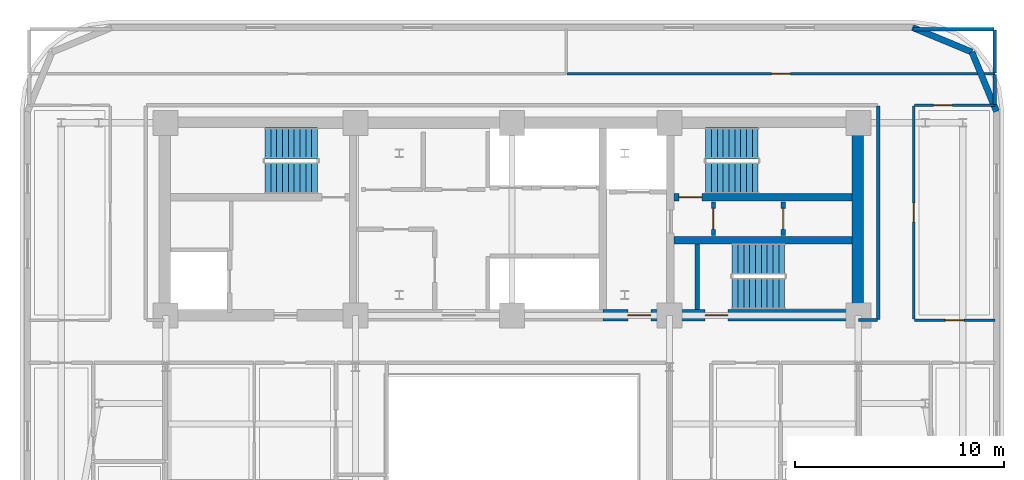
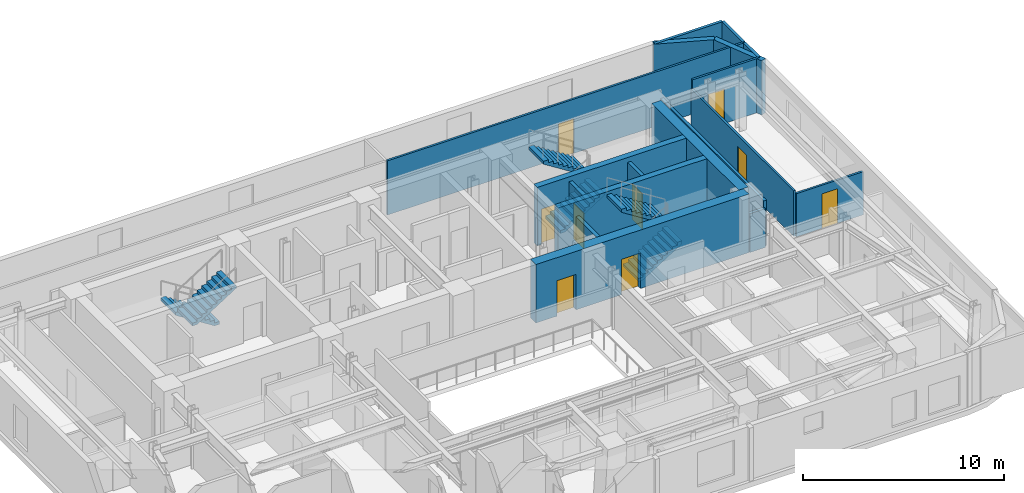
# One storey, part 10 of 13: 18 walls, 9 doors, 6 stair flights, 9 openings, 3 elements without a shape of their own.
"""IFC4 building model written with IfcOpenShell, lengths in metres."""

from ifc_helpers import new_model, si_unit, direction, frame, frame_2d, origin, place, context, subcontext, project, spatial, polyline, rectangle, outline, extrude, material, layer, layer_set, type_object, element, fill, aggregate, save


model = new_model("IFC4")

# Units and contexts
model_context = context("Model", 3, precision=1e-05, world=origin(), true_north=direction((0.0, 1.0)))
body_context = subcontext(model_context, "Body", "Model", "MODEL_VIEW")
ifc_project = project(units=[si_unit("LENGTHUNIT", "METRE"), si_unit("AREAUNIT", "SQUARE_METRE"), si_unit("VOLUMEUNIT", "CUBIC_METRE"), si_unit("PLANEANGLEUNIT", "RADIAN"), si_unit("MASSUNIT", "GRAM", prefix="KILO")], contexts=[model_context])

# Site, building, storey
site_placement = place(None, origin())
site = spatial("IfcSite", under=ifc_project, at=site_placement, CompositionType="ELEMENT")
building_placement = place(site_placement, origin())
building = spatial("IfcBuilding", under=site, at=building_placement, Name="Zarnavel Station Tower", CompositionType="ELEMENT")
storey_placement = place(building_placement, frame((0.0, 0.0, 148.35009765625)))
storey = spatial("IfcBuildingStorey", under=building, at=storey_placement, Name="L40", CompositionType="ELEMENT", Elevation=148.35009765625)

# Wall, opening, door
ifc_material_1 = material(Name="Concrete C50/60", Category="concrete")
ifc_layer_1 = layer(ifc_material_1, 0.35009765625)
ifc_layer_set_1 = layer_set([ifc_layer_1], Name="CW_350")
wall_type_1 = type_object("IfcWallType", Name="CW_350", PredefinedType="SHEAR", material=ifc_layer_set_1)
wall_1_placement = place(storey_placement, frame((45.10498046875, 33.47998046875, 0.0), z_axis=(0.0, 0.0, 1.0), x_axis=(-1.0, 0.0, 0.0)))
wall_1 = element("IfcWall", 1, at=wall_1_placement, inside=storey, type_object=wall_type_1, Name="L40 Rear Core Shear Wall DIV-H2", PredefinedType="SHEAR", context=body_context, shape_type="SweptSolid", body=[
    extrude(rectangle(XDim=8.550048828125, YDim=0.35009765625, at=frame_2d((4.27490234375, 0.0))), origin(), (0.0, 0.0, 1.0), 3.5498046875),
])
opening_1_placement = place(wall_1_placement, frame((7.205078125, 0.0, 0.0)))
opening_1 = element("IfcOpeningElement", 2, at=opening_1_placement, cuts=wall_1, Name="Opening FD01", PredefinedType="OPENING", context=body_context, shape_type="SweptSolid", body=[
    extrude(rectangle(XDim=1.10009765625, YDim=2.14990234375, at=frame_2d((0.550048828125, 1.074951171875))), frame((0.0, 0.18505859375, 0.0), z_axis=(0.0, -1.0, 0.0), x_axis=(1.0, 0.0, 0.0)), (0.0, 0.0, 1.0), 0.3701171875),
])
ifc_material_2 = material(Name="Painted Galvanised Steel and Hardwood Leaf", Category="steel")
door_type_1 = type_object("IfcDoorType", Name="ID_STAIR_1100", OperationType="NOTDEFINED", PredefinedType="DOOR", material=ifc_material_2)
door_1_placement = place(opening_1_placement, origin())
door_1 = element("IfcDoor", 3, at=door_1_placement, inside=storey, type_object=door_type_1, Name="L40 Stair ST2 Lobby Fire Door", OperationType="SINGLE_SWING_RIGHT", OverallHeight=2.14990234375, OverallWidth=1.10009765625, PredefinedType="DOOR", context=body_context, shape_type="SweptSolid", body=[
    extrude(rectangle(XDim=1.10009765625, YDim=2.14990234375, at=frame_2d((0.550048828125, 1.074951171875))), frame((0.0, 0.02490234375, 0.0), z_axis=(0.0, -1.0, 0.0), x_axis=(1.0, 0.0, 0.0)), (0.0, 0.0, 1.0), 0.050048828125),
])
fill(opening_1, door_1)

# Wall
wall_2_placement = place(storey_placement, frame((36.554931640625, 31.419921875, 0.0), z_axis=(0.0, 0.0, 1.0), x_axis=(1.0, 0.0, 0.0)))
element("IfcWall", 4, at=wall_2_placement, inside=storey, type_object=wall_type_1, Name="L40 Rear Core Shear Wall DIV-H3", PredefinedType="SHEAR", context=body_context, shape_type="SweptSolid", body=[
    extrude(rectangle(XDim=8.550048828125, YDim=0.35009765625, at=frame_2d((4.27490234375, 0.0))), origin(), (0.0, 0.0, 1.0), 3.5498046875),
])

# Wall, openings, doors
ifc_material_3 = material(Name="Concrete C50/60", Category="concrete")
ifc_layer_2 = layer(ifc_material_3, 0.550048828125)
ifc_layer_set_2 = layer_set([ifc_layer_2], Name="CW_550")
wall_type_2 = type_object("IfcWallType", Name="CW_550", PredefinedType="SHEAR", material=ifc_layer_set_2)
wall_3_placement = place(storey_placement, frame((45.3798828125, 27.820068359375, 0.0), z_axis=(0.0, 0.0, 1.0), x_axis=(-1.0, 0.0, 0.0)))
wall_3 = element("IfcWall", 5, at=wall_3_placement, inside=storey, type_object=wall_type_2, Name="L40 Rear Core Shear Wall S-E", PredefinedType="SHEAR", context=body_context, shape_type="SweptSolid", body=[
    extrude(rectangle(XDim=12.22998046875, YDim=0.550048828125, at=frame_2d((6.114990234375, 0.0))), origin(), (0.0, 0.0, 1.0), 3.5498046875),
])
opening_2_placement = place(wall_3_placement, frame((9.929931640625, 0.0, 0.0)))
opening_2 = element("IfcOpeningElement", 6, at=opening_2_placement, cuts=wall_3, Name="Opening FD01", PredefinedType="OPENING", context=body_context, shape_type="SweptSolid", body=[
    extrude(rectangle(XDim=1.10009765625, YDim=2.14990234375, at=frame_2d((0.550048828125, 1.074951171875))), frame((0.0, 0.284912109375, 0.0), z_axis=(0.0, -1.0, 0.0), x_axis=(1.0, 0.0, 0.0)), (0.0, 0.0, 1.0), 0.570068359375),
])
opening_3_placement = place(wall_3_placement, frame((6.22998046875, 0.0, 0.0)))
opening_3 = element("IfcOpeningElement", 7, at=opening_3_placement, cuts=wall_3, Name="Opening FD01", PredefinedType="OPENING", context=body_context, shape_type="SweptSolid", body=[
    extrude(rectangle(XDim=1.10009765625, YDim=2.14990234375, at=frame_2d((0.550048828125, 1.074951171875))), frame((0.0, 0.284912109375, 0.0), z_axis=(0.0, -1.0, 0.0), x_axis=(1.0, 0.0, 0.0)), (0.0, 0.0, 1.0), 0.570068359375),
])
door_2_placement = place(opening_2_placement, origin())
door_2 = element("IfcDoor", 8, at=door_2_placement, inside=storey, type_object=door_type_1, Name="L40 East Firefighting Lobby Door", OperationType="SINGLE_SWING_LEFT", OverallHeight=2.14990234375, OverallWidth=1.10009765625, PredefinedType="DOOR", context=body_context, shape_type="SweptSolid", body=[
    extrude(rectangle(XDim=1.10009765625, YDim=2.14990234375, at=frame_2d((0.550048828125, 1.074951171875))), frame((0.0, 0.02490234375, 0.0), z_axis=(0.0, -1.0, 0.0), x_axis=(1.0, 0.0, 0.0)), (0.0, 0.0, 1.0), 0.050048828125),
])
fill(opening_2, door_2)
door_3_placement = place(opening_3_placement, origin())
door_3 = element("IfcDoor", 9, at=door_3_placement, inside=storey, type_object=door_type_1, Name="L40 Stair ST3 Corridor Fire Door", OperationType="SINGLE_SWING_RIGHT", OverallHeight=2.14990234375, OverallWidth=1.10009765625, PredefinedType="DOOR", context=body_context, shape_type="SweptSolid", body=[
    extrude(rectangle(XDim=1.10009765625, YDim=2.14990234375, at=frame_2d((0.550048828125, 1.074951171875))), frame((0.0, 0.02490234375, 0.0), z_axis=(0.0, -1.0, 0.0), x_axis=(1.0, 0.0, 0.0)), (0.0, 0.0, 1.0), 0.050048828125),
])
fill(opening_3, door_3)

# Walls
wall_4_placement = place(storey_placement, frame((45.3798828125, 28.094970703125, 0.0), z_axis=(0.0, 0.0, 1.0), x_axis=(0.0, 1.0, 0.0)))
element("IfcWall", 10, at=wall_4_placement, inside=storey, type_object=wall_type_2, Name="L40 Rear Core Shear Wall E", PredefinedType="SHEAR", context=body_context, shape_type="SweptSolid", body=[
    extrude(rectangle(XDim=8.679931640625, YDim=0.550048828125, at=frame_2d((4.33984375, 0.0))), origin(), (0.0, 0.0, 1.0), 3.5498046875),
])
ifc_material_4 = material(Name="Precast concrete C45/55 (Dark Basalt Finish)", Category="masonry")
ifc_layer_3 = layer(ifc_material_4, 0.300048828125)
ifc_layer_set_3 = layer_set([ifc_layer_3], Name="EW_BASALT_300")
wall_type_3 = type_object("IfcWallType", Name="EW_BASALT_300", PredefinedType="SOLIDWALL", material=ifc_layer_set_3)
for number, where, z_axis, x_axis, name in (
    (11, (50.842529296875, 40.442626953125, 0.0), (0.0, 0.0, 1.0), (0.382704529509, -0.923870793506, 0.0), "L40 Exterior Basalt Masonry Frame Wall 04"),
    (12, (48.0, 41.6201171875, 0.0), (0.0, 0.0, 1.0), (0.923870793506, -0.382704529509, 0.0), "L40 Exterior Basalt Masonry Frame Wall 05"),
):
    element("IfcWall", number, at=place(storey_placement, frame(where, z_axis=z_axis, x_axis=x_axis)), inside=storey, type_object=wall_type_3, Name=name, PredefinedType="SOLIDWALL", context=body_context, shape_type="SweptSolid", body=[
        extrude(rectangle(XDim=3.07666015625, YDim=0.300048828125, at=frame_2d((1.538330078125, 0.0))), origin(), (0.0, 0.0, 1.0), 3.289794921875),
    ])
ifc_material_5 = material(Name="Gypsum Twin-Stud Acoustic Fire Partition", Category="concrete")
ifc_layer_4 = layer(ifc_material_5, 0.159912109375)
ifc_layer_set_4 = layer_set([ifc_layer_4], Name="PT_DEMISE_160")
wall_type_4 = type_object("IfcWallType", Name="PT_DEMISE_160", PredefinedType="PARTITIONING", material=ifc_layer_set_4)
wall_5_placement = place(storey_placement, frame((45.409912109375, 27.60009765625, 0.0), z_axis=(0.0, 0.0, 1.0), x_axis=(1.0, 0.0, 0.0)))
element("IfcWall", 13, at=wall_5_placement, inside=storey, type_object=wall_type_4, Name="L40 Enclosure Wall COR-S", PredefinedType="PARTITIONING", context=body_context, shape_type="SweptSolid", body=[
    extrude(rectangle(XDim=0.91015625, YDim=0.159912109375, at=frame_2d((0.455078125, 0.0))), origin(), (0.0, 0.0, 1.0), 2.35986328125),
])
wall_6_placement = place(storey_placement, frame((46.35009765625, 27.6298828125, 0.0), z_axis=(0.0, 0.0, 1.0), x_axis=(0.0, 1.0, 0.0)))
element("IfcWall", 14, at=wall_6_placement, inside=storey, type_object=wall_type_4, Name="L40 Enclosure Wall COR-E", PredefinedType="PARTITIONING", context=body_context, shape_type="SweptSolid", body=[
    extrude(rectangle(XDim=10.240234375, YDim=0.159912109375, at=frame_2d((5.1201171875, 0.0))), origin(), (0.0, 0.0, 1.0), 2.77001953125),
])
wall_7_placement = place(storey_placement, frame((51.93994140625, 37.929931640625, 0.0), z_axis=(0.0, 0.0, 1.0), x_axis=(0.0, 1.0, 0.0)))
element("IfcWall", 15, at=wall_7_placement, inside=storey, type_object=wall_type_4, Name="L40 Enclosure Wall COR-N", PredefinedType="PARTITIONING", context=body_context, shape_type="SweptSolid", body=[
    extrude(rectangle(XDim=1.440185546875, YDim=0.159912109375, at=frame_2d((0.72021484375, 0.0))), origin(), (0.0, 0.0, 1.0), 3.289794921875),
])
wall_8_placement = place(storey_placement, frame((48.030029296875, 41.5400390625, 0.0), z_axis=(0.0, 0.0, 1.0), x_axis=(1.0, 0.0, 0.0)))
element("IfcWall", 16, at=wall_8_placement, inside=storey, type_object=wall_type_4, Name="L40 Enclosure Wall NBRD", PredefinedType="PARTITIONING", context=body_context, shape_type="SweptSolid", body=[
    extrude(rectangle(XDim=3.8798828125, YDim=0.159912109375, at=frame_2d((1.93994140625, 0.0))), origin(), (0.0, 0.0, 1.0), 3.289794921875),
])
wall_9_placement = place(storey_placement, frame((51.93994140625, 39.429931640625, 0.0), z_axis=(0.0, 0.0, 1.0), x_axis=(0.0, 1.0, 0.0)))
element("IfcWall", 17, at=wall_9_placement, inside=storey, type_object=wall_type_4, Name="L40 Enclosure Wall NBRD", PredefinedType="PARTITIONING", context=body_context, shape_type="SweptSolid", body=[
    extrude(rectangle(XDim=2.080078125, YDim=0.159912109375, at=frame_2d((1.0400390625, 0.0))), origin(), (0.0, 0.0, 1.0), 3.289794921875),
])

# Wall, opening, door
ifc_material_6 = material(Name="Gypsum Metal-Stud Interior Partition", Category="concrete")
ifc_layer_5 = layer(ifc_material_6, 0.1201171875)
ifc_layer_set_5 = layer_set([ifc_layer_5], Name="PT_ROOM_120")
wall_type_5 = type_object("IfcWallType", Name="PT_ROOM_120", PredefinedType="PARTITIONING", material=ifc_layer_set_5)
wall_10_placement = place(storey_placement, frame((48.090087890625, 27.60009765625, 0.0), z_axis=(0.0, 0.0, 1.0), x_axis=(1.0, 0.0, 0.0)))
wall_10 = element("IfcWall", 18, at=wall_10_placement, inside=storey, type_object=wall_type_5, Name="L40 Partition COR-S-FNE", PredefinedType="PARTITIONING", context=body_context, shape_type="SweptSolid", body=[
    extrude(rectangle(XDim=3.849853515625, YDim=0.1201171875, at=frame_2d((1.9248046875, 0.0))), origin(), (0.0, 0.0, 1.0), 2.619873046875),
])
opening_4_placement = place(wall_10_placement, frame((1.47509765625, 0.0, 0.0)))
opening_4 = element("IfcOpeningElement", 19, at=opening_4_placement, cuts=wall_10, Name="Opening ID01", PredefinedType="OPENING", context=body_context, shape_type="SweptSolid", body=[
    extrude(rectangle(XDim=0.89990234375, YDim=2.10009765625, at=frame_2d((0.449951171875, 1.050048828125))), frame((0.0, 0.070068359375, 0.0), z_axis=(0.0, -1.0, 0.0), x_axis=(1.0, 0.0, 0.0)), (0.0, 0.0, 1.0), 0.14013671875),
])
ifc_material_7 = material(Name="Painted Galvanised Steel and Hardwood Leaf", Category="steel")
door_type_2 = type_object("IfcDoorType", Name="ID_ROOM_900", OperationType="NOTDEFINED", PredefinedType="DOOR", material=ifc_material_7)
door_4_placement = place(opening_4_placement, origin())
door_4 = element("IfcDoor", 20, at=door_4_placement, inside=storey, type_object=door_type_2, Name="L40 Door COR-S-FNE", OperationType="SINGLE_SWING_RIGHT", OverallHeight=2.10009765625, OverallWidth=0.89990234375, PredefinedType="DOOR", context=body_context, shape_type="SweptSolid", body=[
    extrude(rectangle(XDim=0.89990234375, YDim=2.10009765625, at=frame_2d((0.449951171875, 1.050048828125))), frame((0.0, 0.02490234375, 0.0), z_axis=(0.0, -1.0, 0.0), x_axis=(1.0, 0.0, 0.0)), (0.0, 0.0, 1.0), 0.050048828125),
])
fill(opening_4, door_4)

wall_11_placement = place(storey_placement, frame((48.050048828125, 27.639892578125, 0.0), z_axis=(0.0, 0.0, 1.0), x_axis=(0.0, 1.0, 0.0)))
wall_11 = element("IfcWall", 21, at=wall_11_placement, inside=storey, type_object=wall_type_5, Name="L40 Partition COR-E-FNE", PredefinedType="PARTITIONING", context=body_context, shape_type="SweptSolid", body=[
    extrude(rectangle(XDim=10.22021484375, YDim=0.1201171875, at=frame_2d((5.110107421875, 0.0))), origin(), (0.0, 0.0, 1.0), 2.77001953125),
])
opening_5_placement = place(wall_11_placement, frame((4.659912109375, 0.0, 0.0)))
opening_5 = element("IfcOpeningElement", 22, at=opening_5_placement, cuts=wall_11, Name="Opening ID01", PredefinedType="OPENING", context=body_context, shape_type="SweptSolid", body=[
    extrude(rectangle(XDim=0.89990234375, YDim=2.10009765625, at=frame_2d((0.449951171875, 1.050048828125))), frame((0.0, 0.070068359375, 0.0), z_axis=(0.0, -1.0, 0.0), x_axis=(1.0, 0.0, 0.0)), (0.0, 0.0, 1.0), 0.14013671875),
])
door_5_placement = place(opening_5_placement, origin())
door_5 = element("IfcDoor", 23, at=door_5_placement, inside=storey, type_object=door_type_2, Name="L40 Door COR-E-FNE", OperationType="SINGLE_SWING_RIGHT", OverallHeight=2.10009765625, OverallWidth=0.89990234375, PredefinedType="DOOR", context=body_context, shape_type="SweptSolid", body=[
    extrude(rectangle(XDim=0.89990234375, YDim=2.10009765625, at=frame_2d((0.449951171875, 1.050048828125))), frame((0.0, 0.02490234375, 0.0), z_axis=(0.0, -1.0, 0.0), x_axis=(1.0, 0.0, 0.0)), (0.0, 0.0, 1.0), 0.050048828125),
])
fill(opening_5, door_5)

wall_12_placement = place(storey_placement, frame((48.090087890625, 37.89990234375, 0.0), z_axis=(0.0, 0.0, 1.0), x_axis=(1.0, 0.0, 0.0)))
wall_12 = element("IfcWall", 24, at=wall_12_placement, inside=storey, type_object=wall_type_5, Name="L40 Partition COR-N-FNE", PredefinedType="PARTITIONING", context=body_context, shape_type="SweptSolid", body=[
    extrude(rectangle(XDim=3.849853515625, YDim=0.1201171875, at=frame_2d((1.9248046875, 0.0))), origin(), (0.0, 0.0, 1.0), 3.289794921875),
])
opening_6_placement = place(wall_12_placement, frame((0.918701171875, 0.0, 0.0)))
opening_6 = element("IfcOpeningElement", 25, at=opening_6_placement, cuts=wall_12, Name="Opening ID01", PredefinedType="OPENING", context=body_context, shape_type="SweptSolid", body=[
    extrude(rectangle(XDim=0.89990234375, YDim=2.10009765625, at=frame_2d((0.449951171875, 1.050048828125))), frame((0.0, 0.070068359375, 0.0), z_axis=(0.0, -1.0, 0.0), x_axis=(1.0, 0.0, 0.0)), (0.0, 0.0, 1.0), 0.14013671875),
])
door_6_placement = place(opening_6_placement, origin())
door_6 = element("IfcDoor", 26, at=door_6_placement, inside=storey, type_object=door_type_2, Name="L40 Door COR-N-FNE", OperationType="SINGLE_SWING_RIGHT", OverallHeight=2.10009765625, OverallWidth=0.89990234375, PredefinedType="DOOR", context=body_context, shape_type="SweptSolid", body=[
    extrude(rectangle(XDim=0.89990234375, YDim=2.10009765625, at=frame_2d((0.449951171875, 1.050048828125))), frame((0.0, 0.02490234375, 0.0), z_axis=(0.0, -1.0, 0.0), x_axis=(1.0, 0.0, 0.0)), (0.0, 0.0, 1.0), 0.050048828125),
])
fill(opening_6, door_6)

wall_13_placement = place(storey_placement, frame((31.43994140625, 39.39990234375, 0.0), z_axis=(0.0, 0.0, 1.0), x_axis=(1.0, 0.0, 0.0)))
wall_13 = element("IfcWall", 27, at=wall_13_placement, inside=storey, type_object=wall_type_5, Name="L40 Partition COR-N-NBRD", PredefinedType="PARTITIONING", context=body_context, shape_type="SweptSolid", body=[
    extrude(rectangle(XDim=20.5, YDim=0.1201171875, at=frame_2d((10.25, 0.0))), origin(), (0.0, 0.0, 1.0), 3.289794921875),
])
opening_7_placement = place(wall_13_placement, frame((9.800048828125, 0.0, 0.0)))
opening_7 = element("IfcOpeningElement", 28, at=opening_7_placement, cuts=wall_13, Name="Opening ID01", PredefinedType="OPENING", context=body_context, shape_type="SweptSolid", body=[
    extrude(rectangle(XDim=0.89990234375, YDim=2.10009765625, at=frame_2d((0.449951171875, 1.050048828125))), frame((0.0, 0.070068359375, 0.0), z_axis=(0.0, -1.0, 0.0), x_axis=(1.0, 0.0, 0.0)), (0.0, 0.0, 1.0), 0.14013671875),
])
door_7_placement = place(opening_7_placement, origin())
door_7 = element("IfcDoor", 29, at=door_7_placement, inside=storey, type_object=door_type_2, Name="L40 Door COR-N-NBRD", OperationType="SINGLE_SWING_RIGHT", OverallHeight=2.10009765625, OverallWidth=0.89990234375, PredefinedType="DOOR", context=body_context, shape_type="SweptSolid", body=[
    extrude(rectangle(XDim=0.89990234375, YDim=2.10009765625, at=frame_2d((0.449951171875, 1.050048828125))), frame((0.0, 0.02490234375, 0.0), z_axis=(0.0, -1.0, 0.0), x_axis=(1.0, 0.0, 0.0)), (0.0, 0.0, 1.0), 0.050048828125),
])
fill(opening_7, door_7)

# Wall
ifc_material_8 = material(Name="Precast concrete C45/55 (Fire Shaft Blockwork)", Category="masonry")
ifc_layer_6 = layer(ifc_material_8, 0.199951171875)
ifc_layer_set_6 = layer_set([ifc_layer_6], Name="PT_SHAFT_200")
wall_type_6 = type_object("IfcWallType", Name="PT_SHAFT_200", PredefinedType="PARTITIONING", material=ifc_layer_set_6)
wall_14_placement = place(storey_placement, frame((37.679931640625, 28.094970703125, 0.0), z_axis=(0.0, 0.0, 1.0), x_axis=(0.0, 1.0, 0.0)))
element("IfcWall", 30, at=wall_14_placement, inside=storey, type_object=wall_type_6, Name="L40 Stair ST3 West Shaft Wall", PredefinedType="PARTITIONING", context=body_context, shape_type="SweptSolid", body=[
    extrude(rectangle(XDim=3.155029296875, YDim=0.199951171875, at=frame_2d((1.57763671875, 0.0))), origin(), (0.0, 0.0, 1.0), 2.669921875),
])

# Wall, opening, door
wall_15_placement = place(storey_placement, frame((38.449951171875, 31.639892578125, 0.0), z_axis=(0.0, 0.0, 1.0), x_axis=(0.0, 1.0, 0.0)))
wall_15 = element("IfcWall", 31, at=wall_15_placement, inside=storey, type_object=wall_type_6, Name="L40 Partition ESTV-CEA", PredefinedType="PARTITIONING", context=body_context, shape_type="SweptSolid", body=[
    extrude(rectangle(XDim=1.6201171875, YDim=0.199951171875, at=frame_2d((0.81005859375, 0.0))), origin(), (0.0, 0.0, 1.0), 3.289794921875),
])
opening_8_placement = place(wall_15_placement, frame((0.31005859375, 0.0, 0.0)))
opening_8 = element("IfcOpeningElement", 32, at=opening_8_placement, cuts=wall_15, Name="Opening FD02", PredefinedType="OPENING", context=body_context, shape_type="SweptSolid", body=[
    extrude(rectangle(XDim=1.0, YDim=2.14990234375, at=frame_2d((0.5, 1.074951171875))), frame((0.0, 0.10986328125, 0.0), z_axis=(0.0, -1.0, 0.0), x_axis=(1.0, 0.0, 0.0)), (0.0, 0.0, 1.0), 0.219970703125),
])
ifc_material_9 = material(Name="Painted Galvanised Steel and Hardwood Leaf", Category="steel")
door_type_3 = type_object("IfcDoorType", Name="ID_ENTRY_1000", OperationType="NOTDEFINED", PredefinedType="DOOR", material=ifc_material_9)
door_8_placement = place(opening_8_placement, origin())
door_8 = element("IfcDoor", 33, at=door_8_placement, inside=storey, type_object=door_type_3, Name="L40 Door ESTV-CEA", OperationType="SINGLE_SWING_LEFT", OverallHeight=2.14990234375, OverallWidth=1.0, PredefinedType="DOOR", context=body_context, shape_type="SweptSolid", body=[
    extrude(rectangle(XDim=1.0, YDim=2.14990234375, at=frame_2d((0.5, 1.074951171875))), frame((0.0, 0.02490234375, 0.0), z_axis=(0.0, -1.0, 0.0), x_axis=(1.0, 0.0, 0.0)), (0.0, 0.0, 1.0), 0.050048828125),
])
fill(opening_8, door_8)

wall_16_placement = place(storey_placement, frame((41.800048828125, 31.639892578125, 0.0), z_axis=(0.0, 0.0, 1.0), x_axis=(0.0, 1.0, 0.0)))
wall_16 = element("IfcWall", 34, at=wall_16_placement, inside=storey, type_object=wall_type_6, Name="L40 Partition CEA-CEB", PredefinedType="PARTITIONING", context=body_context, shape_type="SweptSolid", body=[
    extrude(rectangle(XDim=1.6201171875, YDim=0.199951171875, at=frame_2d((0.81005859375, 0.0))), origin(), (0.0, 0.0, 1.0), 3.289794921875),
])
opening_9_placement = place(wall_16_placement, frame((0.31005859375, 0.0, 0.0)))
opening_9 = element("IfcOpeningElement", 35, at=opening_9_placement, cuts=wall_16, Name="Opening FD02", PredefinedType="OPENING", context=body_context, shape_type="SweptSolid", body=[
    extrude(rectangle(XDim=1.0, YDim=2.14990234375, at=frame_2d((0.5, 1.074951171875))), frame((0.0, 0.10986328125, 0.0), z_axis=(0.0, -1.0, 0.0), x_axis=(1.0, 0.0, 0.0)), (0.0, 0.0, 1.0), 0.219970703125),
])
door_9_placement = place(opening_9_placement, origin())
door_9 = element("IfcDoor", 36, at=door_9_placement, inside=storey, type_object=door_type_3, Name="L40 Door CEA-CEB", OperationType="SINGLE_SWING_RIGHT", OverallHeight=2.14990234375, OverallWidth=1.0, PredefinedType="DOOR", context=body_context, shape_type="SweptSolid", body=[
    extrude(rectangle(XDim=1.0, YDim=2.14990234375, at=frame_2d((0.5, 1.074951171875))), frame((0.0, 0.02490234375, 0.0), z_axis=(0.0, -1.0, 0.0), x_axis=(1.0, 0.0, 0.0)), (0.0, 0.0, 1.0), 0.050048828125),
])
fill(opening_9, door_9)

# Stair, stair flights
ifc_material_10 = material(Name="Concrete C45/55", Category="concrete")
stair_type = type_object("IfcStairType", Name="ST_CORE_150", PredefinedType="HALF_TURN_STAIR", material=ifc_material_10)
stair_1_placement = place(storey_placement, origin())
stair_1 = element("IfcStair", 37, at=stair_1_placement, inside=storey, type_object=stair_type, Name="L40 Core Exit Stair ST1", PredefinedType="HALF_TURN_STAIR")
ifc_material_11 = material(Name="Concrete C45/55", Category="concrete")
ifc_layer_7 = layer(ifc_material_11, 0.179931640625)
ifc_layer_set_7 = layer_set([ifc_layer_7], Name="ST_CORE_150_FLT")
stair_flight_type = type_object("IfcStairFlightType", Name="ST_CORE_150_FLT", PredefinedType="STRAIGHT", material=ifc_layer_set_7)
stair_flight_1_placement = place(storey_placement, frame((19.47998046875, 36.070068359375, 0.0), z_axis=(0.0, 0.0, 1.0), x_axis=(-1.0, 0.0, 0.0)))
stair_flight_1 = element("IfcStairFlight", 38, at=stair_flight_1_placement, type_object=stair_flight_type, Name="ST1 flight 1", NumberOfRisers=10, NumberOfTreads=9, PredefinedType="STRAIGHT", RiserHeight=0.1775, TreadLength=0.28, context=body_context, shape_type="SweptSolid", body=[
    extrude(outline(polyline([(0.0, 0.0), (0.0, 0.177490234375), (0.280029296875, 0.177490234375), (0.280029296875, 0.35498046875), (0.56005859375, 0.35498046875), (0.56005859375, 0.532470703125), (0.840087890625, 0.532470703125), (0.840087890625, 0.7099609375), (1.1201171875, 0.7099609375), (1.1201171875, 0.887451171875), (1.39990234375, 0.887451171875), (1.39990234375, 1.06494140625), (1.679931640625, 1.06494140625), (1.679931640625, 1.242431640625), (1.9599609375, 1.242431640625), (1.9599609375, 1.419921875), (2.239990234375, 1.419921875), (2.239990234375, 1.597412109375), (2.52001953125, 1.597412109375), (2.52001953125, 1.77490234375), (2.52001953125, 1.419921875), (0.280029296875, 0.0), (0.0, 0.0)])), frame((0.0, 0.75, 0.0), z_axis=(0.0, -1.0, 0.0), x_axis=(1.0, 0.0, 0.0)), (0.0, 0.0, 1.0), 1.5),
])
stair_flight_2_placement = place(storey_placement, frame((16.9599609375, 34.409912109375, 1.77490234375), z_axis=(0.0, 0.0, 1.0), x_axis=(1.0, 0.0, 0.0)))
stair_flight_2 = element("IfcStairFlight", 39, at=stair_flight_2_placement, type_object=stair_flight_type, Name="ST1 flight 2", NumberOfRisers=10, NumberOfTreads=9, PredefinedType="STRAIGHT", RiserHeight=0.1775, TreadLength=0.28, context=body_context, shape_type="SweptSolid", body=[
    extrude(outline(polyline([(0.0, 0.0), (0.0, 0.177490234375), (0.280029296875, 0.177490234375), (0.280029296875, 0.35498046875), (0.56005859375, 0.35498046875), (0.56005859375, 0.532470703125), (0.840087890625, 0.532470703125), (0.840087890625, 0.7099609375), (1.1201171875, 0.7099609375), (1.1201171875, 0.887451171875), (1.39990234375, 0.887451171875), (1.39990234375, 1.06494140625), (1.679931640625, 1.06494140625), (1.679931640625, 1.242431640625), (1.9599609375, 1.242431640625), (1.9599609375, 1.419921875), (2.239990234375, 1.419921875), (2.239990234375, 1.597412109375), (2.52001953125, 1.597412109375), (2.52001953125, 1.77490234375), (2.52001953125, 1.419921875), (0.280029296875, 0.0), (0.0, 0.0)])), frame((0.0, 0.75, 0.0), z_axis=(0.0, -1.0, 0.0), x_axis=(1.0, 0.0, 0.0)), (0.0, 0.0, 1.0), 1.5),
])
aggregate(stair_1, [stair_flight_1, stair_flight_2])

stair_2_placement = place(storey_placement, origin())
stair_2 = element("IfcStair", 40, at=stair_2_placement, inside=storey, type_object=stair_type, Name="L40 Core Exit Stair ST2", PredefinedType="HALF_TURN_STAIR")
stair_flight_3_placement = place(storey_placement, frame((38.080078125, 34.409912109375, 0.0), z_axis=(0.0, 0.0, 1.0), x_axis=(1.0, 0.0, 0.0)))
stair_flight_3 = element("IfcStairFlight", 41, at=stair_flight_3_placement, type_object=stair_flight_type, Name="ST2 flight 1", NumberOfRisers=10, NumberOfTreads=9, PredefinedType="STRAIGHT", RiserHeight=0.1775, TreadLength=0.28, context=body_context, shape_type="SweptSolid", body=[
    extrude(outline(polyline([(0.0, 0.0), (0.0, 0.177490234375), (0.280029296875, 0.177490234375), (0.280029296875, 0.35498046875), (0.56005859375, 0.35498046875), (0.56005859375, 0.532470703125), (0.840087890625, 0.532470703125), (0.840087890625, 0.7099609375), (1.1201171875, 0.7099609375), (1.1201171875, 0.887451171875), (1.39990234375, 0.887451171875), (1.39990234375, 1.06494140625), (1.679931640625, 1.06494140625), (1.679931640625, 1.242431640625), (1.9599609375, 1.242431640625), (1.9599609375, 1.419921875), (2.239990234375, 1.419921875), (2.239990234375, 1.597412109375), (2.52001953125, 1.597412109375), (2.52001953125, 1.77490234375), (2.52001953125, 1.419921875), (0.280029296875, 0.0), (0.0, 0.0)])), frame((0.0, 0.75, 0.0), z_axis=(0.0, -1.0, 0.0), x_axis=(1.0, 0.0, 0.0)), (0.0, 0.0, 1.0), 1.5),
])
stair_flight_4_placement = place(storey_placement, frame((40.60009765625, 36.070068359375, 1.77490234375), z_axis=(0.0, 0.0, 1.0), x_axis=(-1.0, 0.0, 0.0)))
stair_flight_4 = element("IfcStairFlight", 42, at=stair_flight_4_placement, type_object=stair_flight_type, Name="ST2 flight 2", NumberOfRisers=10, NumberOfTreads=9, PredefinedType="STRAIGHT", RiserHeight=0.1775, TreadLength=0.28, context=body_context, shape_type="SweptSolid", body=[
    extrude(outline(polyline([(0.0, 0.0), (0.0, 0.177490234375), (0.280029296875, 0.177490234375), (0.280029296875, 0.35498046875), (0.56005859375, 0.35498046875), (0.56005859375, 0.532470703125), (0.840087890625, 0.532470703125), (0.840087890625, 0.7099609375), (1.1201171875, 0.7099609375), (1.1201171875, 0.887451171875), (1.39990234375, 0.887451171875), (1.39990234375, 1.06494140625), (1.679931640625, 1.06494140625), (1.679931640625, 1.242431640625), (1.9599609375, 1.242431640625), (1.9599609375, 1.419921875), (2.239990234375, 1.419921875), (2.239990234375, 1.597412109375), (2.52001953125, 1.597412109375), (2.52001953125, 1.77490234375), (2.52001953125, 1.419921875), (0.280029296875, 0.0), (0.0, 0.0)])), frame((0.0, 0.75, 0.0), z_axis=(0.0, -1.0, 0.0), x_axis=(1.0, 0.0, 0.0)), (0.0, 0.0, 1.0), 1.5),
])
aggregate(stair_2, [stair_flight_3, stair_flight_4])

stair_3_placement = place(storey_placement, origin())
stair_3 = element("IfcStair", 43, at=stair_3_placement, inside=storey, type_object=stair_type, Name="L40 Core Exit Stair ST3", PredefinedType="HALF_TURN_STAIR")
stair_flight_5_placement = place(storey_placement, frame((39.35009765625, 28.8701171875, 0.0), z_axis=(0.0, 0.0, 1.0), x_axis=(1.0, 0.0, 0.0)))
stair_flight_5 = element("IfcStairFlight", 44, at=stair_flight_5_placement, type_object=stair_flight_type, Name="ST3 flight 1", NumberOfRisers=10, NumberOfTreads=9, PredefinedType="STRAIGHT", RiserHeight=0.1775, TreadLength=0.28, context=body_context, shape_type="SweptSolid", body=[
    extrude(outline(polyline([(0.0, 0.0), (0.0, 0.177490234375), (0.280029296875, 0.177490234375), (0.280029296875, 0.35498046875), (0.56005859375, 0.35498046875), (0.56005859375, 0.532470703125), (0.840087890625, 0.532470703125), (0.840087890625, 0.7099609375), (1.1201171875, 0.7099609375), (1.1201171875, 0.887451171875), (1.39990234375, 0.887451171875), (1.39990234375, 1.06494140625), (1.679931640625, 1.06494140625), (1.679931640625, 1.242431640625), (1.9599609375, 1.242431640625), (1.9599609375, 1.419921875), (2.239990234375, 1.419921875), (2.239990234375, 1.597412109375), (2.52001953125, 1.597412109375), (2.52001953125, 1.77490234375), (2.52001953125, 1.419921875), (0.280029296875, 0.0), (0.0, 0.0)])), frame((0.0, 0.75, 0.0), z_axis=(0.0, -1.0, 0.0), x_axis=(1.0, 0.0, 0.0)), (0.0, 0.0, 1.0), 1.5),
])
stair_flight_6_placement = place(storey_placement, frame((41.8701171875, 30.530029296875, 1.77490234375), z_axis=(0.0, 0.0, 1.0), x_axis=(-1.0, 0.0, 0.0)))
stair_flight_6 = element("IfcStairFlight", 45, at=stair_flight_6_placement, type_object=stair_flight_type, Name="ST3 flight 2", NumberOfRisers=10, NumberOfTreads=9, PredefinedType="STRAIGHT", RiserHeight=0.1775, TreadLength=0.28, context=body_context, shape_type="SweptSolid", body=[
    extrude(outline(polyline([(0.0, 0.0), (0.0, 0.177490234375), (0.280029296875, 0.177490234375), (0.280029296875, 0.35498046875), (0.56005859375, 0.35498046875), (0.56005859375, 0.532470703125), (0.840087890625, 0.532470703125), (0.840087890625, 0.7099609375), (1.1201171875, 0.7099609375), (1.1201171875, 0.887451171875), (1.39990234375, 0.887451171875), (1.39990234375, 1.06494140625), (1.679931640625, 1.06494140625), (1.679931640625, 1.242431640625), (1.9599609375, 1.242431640625), (1.9599609375, 1.419921875), (2.239990234375, 1.419921875), (2.239990234375, 1.597412109375), (2.52001953125, 1.597412109375), (2.52001953125, 1.77490234375), (2.52001953125, 1.419921875), (0.280029296875, 0.0), (0.0, 0.0)])), frame((0.0, 0.75, 0.0), z_axis=(0.0, -1.0, 0.0), x_axis=(1.0, 0.0, 0.0)), (0.0, 0.0, 1.0), 1.5),
])
aggregate(stair_3, [stair_flight_5, stair_flight_6])

save(model, "model.ifc")
